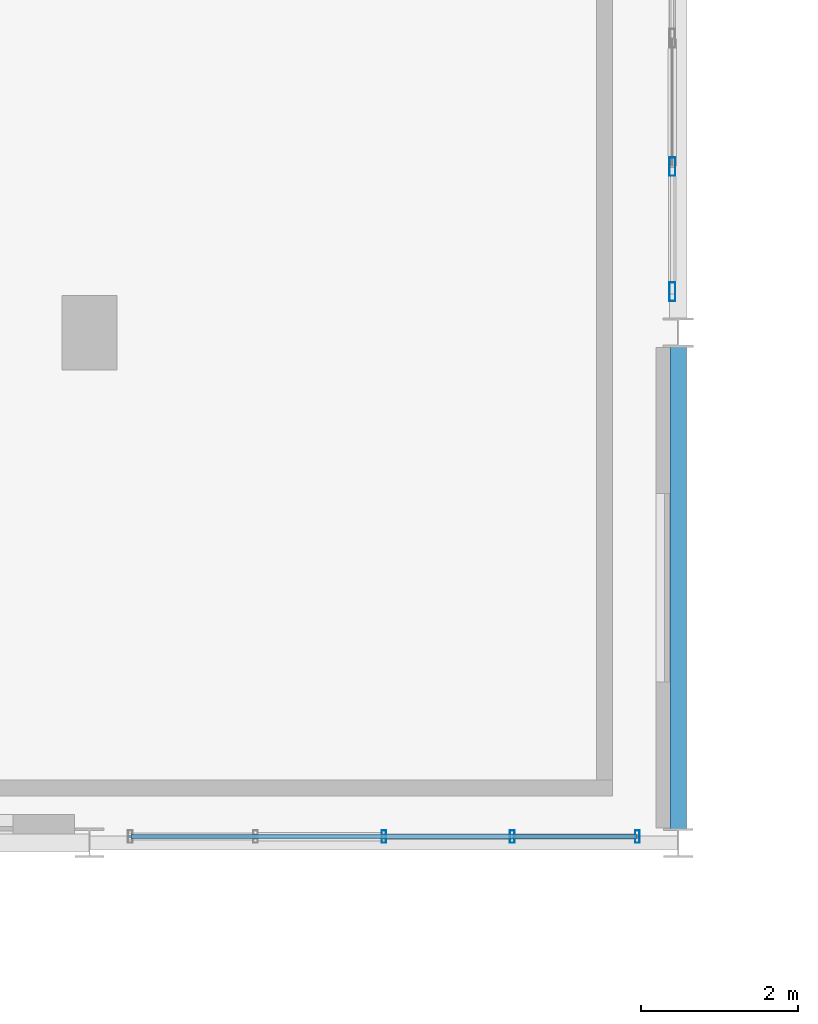
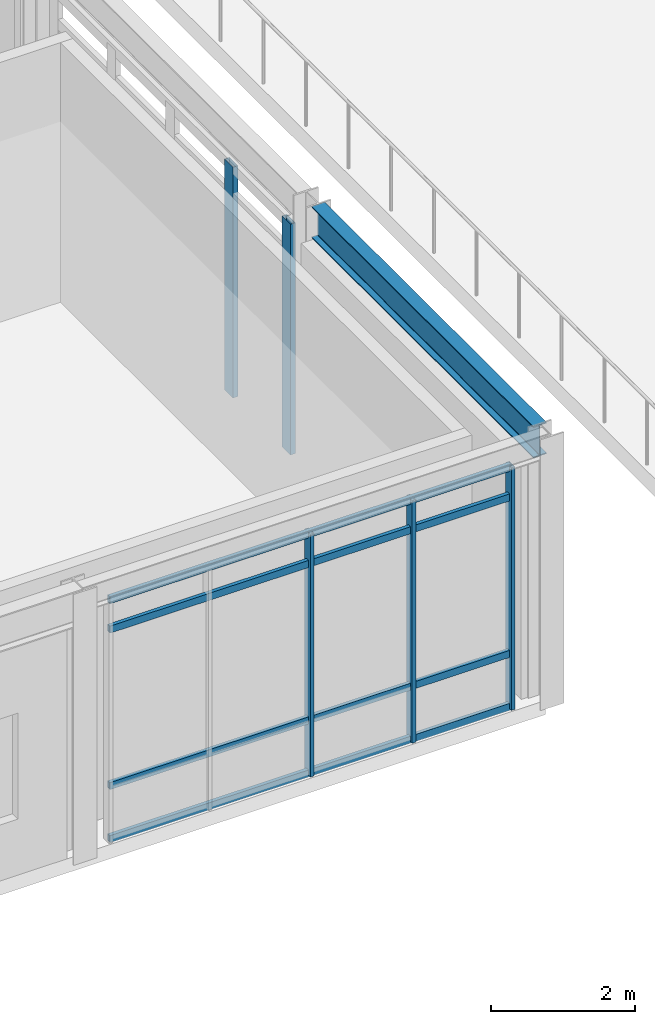
# One storey, part 23 of 200: 9 members, 1 beam, 2 elements without a shape of their own.
"""IFC4 building model written with IfcOpenShell, lengths in metres."""

from ifc_helpers import new_model, si_unit, direction, frame, origin, origin_2d, place, context, subcontext, project, spatial, hollow_rectangle, i_section, extrude, material, material_profile, profile_set, type_object, element, aggregate, save


model = new_model("IFC4")

# Units and contexts
model_context = context("Model", 3, precision=1e-05, world=origin(), true_north=direction((0.0, 1.0)))
body_context = subcontext(model_context, "Body", "Model", "MODEL_VIEW")
ifc_project = project(units=[si_unit("LENGTHUNIT", "METRE"), si_unit("AREAUNIT", "SQUARE_METRE"), si_unit("VOLUMEUNIT", "CUBIC_METRE"), si_unit("PLANEANGLEUNIT", "RADIAN"), si_unit("MASSUNIT", "GRAM", prefix="KILO"), si_unit("THERMODYNAMICTEMPERATUREUNIT", "KELVIN"), si_unit("POWERUNIT", "WATT")], contexts=[model_context])

# Site, building, storey
site_placement = place(None, origin())
site = spatial("IfcSite", under=ifc_project, at=site_placement, CompositionType="ELEMENT")
building_placement = place(site_placement, origin())
building = spatial("IfcBuilding", under=site, at=building_placement, Name="Tepalcoro Natatorium and Aquatics Centre", CompositionType="ELEMENT")
storey_placement = place(building_placement, frame((0.0, 0.0, 5.39990234375)))
storey = spatial("IfcBuildingStorey", under=building, at=storey_placement, Name="L01", CompositionType="ELEMENT", Elevation=5.39990234375)

# Curtain wall, members
ifc_material_1 = material(Name="Bronze-Anodised Extruded Aluminium Alloy EN AW-6063 T6", Category="aluminium")
curtain_wall_type_1 = type_object("IfcCurtainWallType", Name="CW_V5_LOWER", PredefinedType="USERDEFINED", material=ifc_material_1)
curtain_wall_1_placement = place(storey_placement, origin())
curtain_wall_1 = element("IfcCurtainWall", 1, at=curtain_wall_1_placement, inside=storey, type_object=curtain_wall_type_1, Name="V3 L01 S Unitised Curtain Wall Bay 4", ObjectType="UNITISED STOREFRONT", PredefinedType="USERDEFINED")
ifc_material_profile_1 = material_profile(ifc_material_1, hollow_rectangle(XDim=0.06005859375, YDim=0.159912109375, WallThickness=0.00390625, at=origin_2d()), Name="AL60X160X4")
ifc_profile_set_1 = profile_set([ifc_material_profile_1], Name="Bronze-Anodised Extruded Aluminium Alloy EN AW-6063 T6")
member_type_1 = type_object("IfcMemberType", Name="CW_MUL_60x160", PredefinedType="MULLION", material=ifc_profile_set_1)
member_1_placement = place(storey_placement, frame((32.25, 6.580078125, 0.02001953125), z_axis=(0.0, 0.0, 1.0), x_axis=(1.0, 0.0, 0.0)))
member_1 = element("IfcMember", 2, at=member_1_placement, type_object=member_type_1, Name="CW_V5_LOWER Curtain Wall Mullion", PredefinedType="MULLION", context=body_context, shape_type="SweptSolid", body=[
    extrude(hollow_rectangle(XDim=0.06005859375, YDim=0.159912109375, WallThickness=0.00390625, at=origin_2d()), origin(), (0.0, 0.0, 1.0), 4.1171875),
])
member_2_placement = place(storey_placement, frame((33.885009765625, 6.580078125, 0.02001953125), z_axis=(0.0, 0.0, 1.0), x_axis=(1.0, 0.0, 0.0)))
member_2 = element("IfcMember", 3, at=member_2_placement, type_object=member_type_1, Name="CW_V5_LOWER Curtain Wall Mullion", PredefinedType="MULLION", context=body_context, shape_type="SweptSolid", body=[
    extrude(hollow_rectangle(XDim=0.06005859375, YDim=0.159912109375, WallThickness=0.00390625, at=origin_2d()), origin(), (0.0, 0.0, 1.0), 4.1171875),
])
member_3_placement = place(storey_placement, frame((35.47998046875, 6.580078125, 0.02001953125), z_axis=(0.0, 0.0, 1.0), x_axis=(1.0, 0.0, 0.0)))
member_3 = element("IfcMember", 4, at=member_3_placement, type_object=member_type_1, Name="CW_V5_LOWER Curtain Wall Mullion", PredefinedType="MULLION", context=body_context, shape_type="SweptSolid", body=[
    extrude(hollow_rectangle(XDim=0.06005859375, YDim=0.159912109375, WallThickness=0.00390625, at=origin_2d()), origin(), (0.0, 0.0, 1.0), 4.1171875),
])

curtain_wall_type_2 = type_object("IfcCurtainWallType", Name="CW_LEAN_T2_NS", PredefinedType="USERDEFINED", material=ifc_material_1)
curtain_wall_2_placement = place(storey_placement, origin())
curtain_wall_2 = element("IfcCurtainWall", 5, at=curtain_wall_2_placement, inside=storey, type_object=curtain_wall_type_2, Name="V3 L01 E Unitised Curtain Wall Bay 2", ObjectType="FACETED SOLAR GLAZING", PredefinedType="USERDEFINED")
ifc_material_profile_2 = material_profile(ifc_material_1, hollow_rectangle(XDim=0.080078125, YDim=0.239990234375, WallThickness=0.0048828125, at=origin_2d()), Name="AL80X240X5")
ifc_profile_set_2 = profile_set([ifc_material_profile_2], Name="Bronze-Anodised Extruded Aluminium Alloy EN AW-6063 T6")
member_type_2 = type_object("IfcMemberType", Name="CW_MUL_80x240", PredefinedType="MULLION", material=ifc_profile_set_2)
member_4_placement = place(storey_placement, frame((35.923828125, 13.52001953125, 0.02001953125), z_axis=(0.0, 0.0, 1.0), x_axis=(1.0, 0.0, 0.0)))
member_4 = element("IfcMember", 6, at=member_4_placement, type_object=member_type_2, Name="CW_LEAN_T2_NS Curtain Wall Mullion", PredefinedType="MULLION", context=body_context, shape_type="SweptSolid", body=[
    extrude(hollow_rectangle(XDim=0.080078125, YDim=0.239990234375, WallThickness=0.0048828125, at=origin_2d()), origin(), (0.0, 0.0, 1.0), 3.91796875),
])
member_5_placement = place(storey_placement, frame((35.923828125, 15.114990234375, 0.02001953125), z_axis=(0.0, 0.0, 1.0), x_axis=(1.0, 0.0, 0.0)))
member_5 = element("IfcMember", 7, at=member_5_placement, type_object=member_type_2, Name="CW_LEAN_T2_NS Curtain Wall Mullion", PredefinedType="MULLION", context=body_context, shape_type="SweptSolid", body=[
    extrude(hollow_rectangle(XDim=0.080078125, YDim=0.239990234375, WallThickness=0.0048828125, at=origin_2d()), origin(), (0.0, 0.0, 1.0), 3.91796875),
])
aggregate(curtain_wall_2, [member_4, member_5])

# Member
ifc_material_profile_3 = material_profile(ifc_material_1, hollow_rectangle(XDim=0.06005859375, YDim=0.1201171875, WallThickness=0.00390625, at=origin_2d()), Name="AL60X120X4")
ifc_profile_set_3 = profile_set([ifc_material_profile_3], Name="Bronze-Anodised Extruded Aluminium Alloy EN AW-6063 T6")
member_type_3 = type_object("IfcMemberType", Name="CW_TRN_60x120", PredefinedType="USERDEFINED", material=ifc_profile_set_3)
member_6_placement = place(storey_placement, frame((29.030029296875, 6.580078125, 0.050048828125), z_axis=(1.0, 0.0, 0.0), x_axis=(0.0, 1.0, 0.0)))
member_6 = element("IfcMember", 8, at=member_6_placement, type_object=member_type_3, Name="CW_V5_LOWER Curtain Wall Transom", ObjectType="TRANSOM", PredefinedType="USERDEFINED", context=body_context, shape_type="SweptSolid", body=[
    extrude(hollow_rectangle(XDim=0.06005859375, YDim=0.1201171875, WallThickness=0.00390625, at=origin_2d()), origin(), (0.0, 0.0, 1.0), 6.43994140625),
])

member_7_placement = place(storey_placement, frame((29.030029296875, 6.580078125, 0.9501953125), z_axis=(1.0, 0.0, 0.0), x_axis=(0.0, 1.0, 0.0)))
member_7 = element("IfcMember", 9, at=member_7_placement, type_object=member_type_3, Name="CW_V5_LOWER Curtain Wall Transom", ObjectType="TRANSOM", PredefinedType="USERDEFINED", context=body_context, shape_type="SweptSolid", body=[
    extrude(hollow_rectangle(XDim=0.06005859375, YDim=0.1201171875, WallThickness=0.00390625, at=origin_2d()), origin(), (0.0, 0.0, 1.0), 6.43994140625),
])

member_8_placement = place(storey_placement, frame((29.030029296875, 6.580078125, 3.607177734375), z_axis=(1.0, 0.0, 0.0), x_axis=(0.0, 1.0, 0.0)))
member_8 = element("IfcMember", 10, at=member_8_placement, type_object=member_type_3, Name="CW_V5_LOWER Curtain Wall Transom", ObjectType="TRANSOM", PredefinedType="USERDEFINED", context=body_context, shape_type="SweptSolid", body=[
    extrude(hollow_rectangle(XDim=0.06005859375, YDim=0.1201171875, WallThickness=0.00390625, at=origin_2d()), origin(), (0.0, 0.0, 1.0), 6.43994140625),
])

member_9_placement = place(storey_placement, frame((29.030029296875, 6.580078125, 4.107177734375), z_axis=(1.0, 0.0, 0.0), x_axis=(0.0, 1.0, 0.0)))
member_9 = element("IfcMember", 11, at=member_9_placement, type_object=member_type_3, Name="CW_V5_LOWER Curtain Wall Transom", ObjectType="TRANSOM", PredefinedType="USERDEFINED", context=body_context, shape_type="SweptSolid", body=[
    extrude(hollow_rectangle(XDim=0.06005859375, YDim=0.1201171875, WallThickness=0.00390625, at=origin_2d()), origin(), (0.0, 0.0, 1.0), 6.43994140625),
])

aggregate(curtain_wall_1, [member_1, member_2, member_3, member_6, member_7, member_8, member_9])

# Beam
ifc_material_2 = material(Name="Steel ASTM A992 Grade 50 (Fy 345 MPa)", Category="steel")
ifc_material_profile_4 = material_profile(ifc_material_2, i_section(OverallWidth=0.2099609375, OverallDepth=0.535888671875, WebThickness=0.010986328125, FlangeThickness=0.01708984375, FilletRadius=0.013916015625, at=origin_2d()), Name="W21X68")
ifc_profile_set_4 = profile_set([ifc_material_profile_4], Name="Steel ASTM A992 Grade 50 (Fy 345 MPa)")
beam_type = type_object("IfcBeamType", Name="SP_W21x68", PredefinedType="SPANDREL", material=ifc_profile_set_4)
beam_placement = place(storey_placement, frame((36.0, 6.6630859375, 4.317138671875), z_axis=(0.0, 1.0, 0.0), x_axis=(-1.0, 0.0, 0.0)))
element("IfcBeam", 12, at=beam_placement, inside=storey, type_object=beam_type, Name="V3 L01 Grid Girder Y", PredefinedType="SPANDREL", context=body_context, shape_type="SweptSolid", body=[
    extrude(i_section(OverallWidth=0.2099609375, OverallDepth=0.535888671875, WebThickness=0.010986328125, FlangeThickness=0.01708984375, FilletRadius=0.013916015625, at=origin_2d()), origin(), (0.0, 0.0, 1.0), 6.169921875),
])

save(model, "model.ifc")
